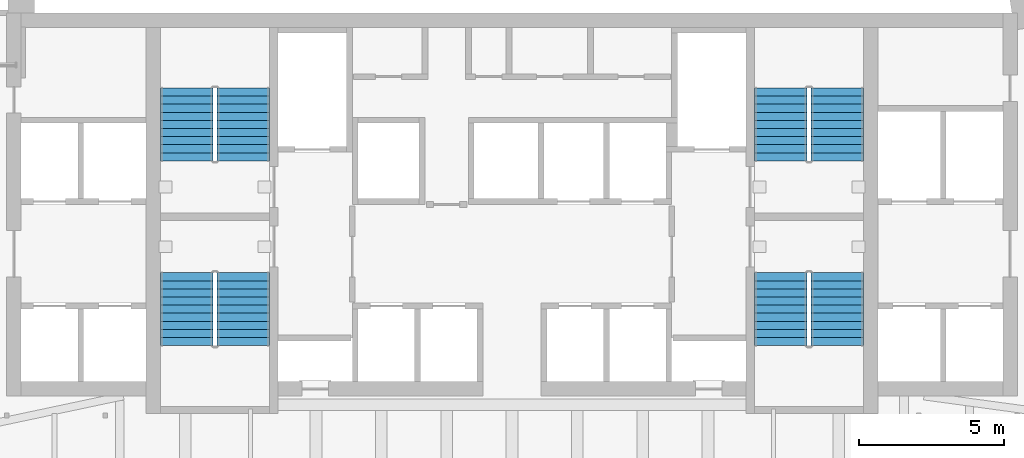
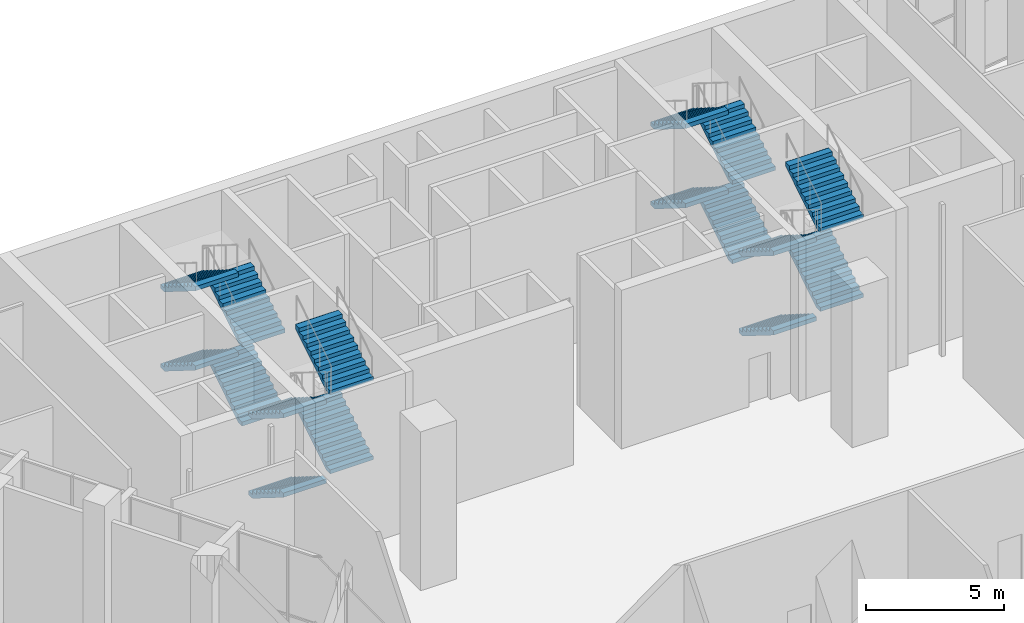
# One storey, part 15 of 17: 16 stair flights, 4 elements without a shape of their own.
"""IFC4 building model written with IfcOpenShell, lengths in metres."""

from ifc_helpers import new_model, si_unit, direction, frame, origin, place, context, subcontext, project, spatial, faceted_brep, source, transform, mapped, material, type_object, element, aggregate, save


model = new_model("IFC4")

# Units and contexts
model_context = context("Model", 3, precision=1e-05, world=origin(), true_north=direction((0.0, 1.0)))
body_context = subcontext(model_context, "Body", "Model", "MODEL_VIEW")
ifc_project = project(units=[si_unit("LENGTHUNIT", "METRE"), si_unit("AREAUNIT", "SQUARE_METRE"), si_unit("VOLUMEUNIT", "CUBIC_METRE"), si_unit("PLANEANGLEUNIT", "RADIAN"), si_unit("MASSUNIT", "GRAM", prefix="KILO")], contexts=[model_context])

# Site, building, storey
site_placement = place(None, origin())
site = spatial("IfcSite", under=ifc_project, at=site_placement, CompositionType="ELEMENT")
building_placement = place(site_placement, origin())
building = spatial("IfcBuilding", under=site, at=building_placement, Name="Calabash Gate Tower", CompositionType="ELEMENT")
storey_placement = place(building_placement, frame((0.0, 0.0, 132.60009765625)))
storey = spatial("IfcBuildingStorey", under=building, at=storey_placement, Name="L31", CompositionType="ELEMENT", Elevation=132.60009765625)

# Stair, stair flights
ifc_material_1 = material(Name="Concrete C40/50", Category="concrete")
stair_type = type_object("IfcStairType", Name="Exit stair 40 risers of 175 mm", PredefinedType="HALF_TURN_STAIR", material=ifc_material_1)
stair_1_placement = place(storey_placement, origin())
stair_1 = element("IfcStair", 1, at=stair_1_placement, inside=storey, type_object=stair_type, Name="L31 Exit stair ST1", PredefinedType="HALF_TURN_STAIR")
ifc_material_2 = material(Name="Concrete C40/50", Category="concrete")
stair_flight_type = type_object("IfcStairFlightType", Name="Exit stair flight SFL", PredefinedType="STRAIGHT", material=ifc_material_2)
shared_shape = source(origin(), body_context, "Body", "Brep", [
    faceted_brep([(-0.0009765625, -0.89990234375, 0.0), (0.2822265625, -0.89990234375, 0.0), (2.511962890625, -0.89990234375, 1.39794921875), (-0.0009765625, 0.89990234375, 0.0), (2.511962890625, 0.89990234375, 1.39794921875), (0.2822265625, 0.89990234375, 0.0), (2.511962890625, -0.89990234375, 1.5869140625), (2.510986328125, -0.89990234375, 1.5869140625), (2.510986328125, 0.89990234375, 1.5869140625), (2.511962890625, 0.89990234375, 1.5869140625), (2.510986328125, -0.89990234375, 1.574951171875), (2.510986328125, 0.89990234375, 1.574951171875), (2.23193359375, -0.89990234375, 1.574951171875), (2.23193359375, 0.89990234375, 1.574951171875), (2.23193359375, -0.89990234375, 1.39990234375), (2.23193359375, 0.89990234375, 1.39990234375), (1.952880859375, -0.89990234375, 1.39990234375), (1.952880859375, 0.89990234375, 1.39990234375), (1.952880859375, -0.89990234375, 1.22509765625), (1.952880859375, 0.89990234375, 1.22509765625), (1.674072265625, -0.89990234375, 1.22509765625), (1.674072265625, -0.89990234375, 1.050048828125), (1.674072265625, 0.89990234375, 1.050048828125), (1.674072265625, 0.89990234375, 1.22509765625), (1.39501953125, -0.89990234375, 1.050048828125), (1.39501953125, -0.89990234375, 0.875), (1.39501953125, 0.89990234375, 0.875), (1.39501953125, 0.89990234375, 1.050048828125), (1.115966796875, -0.89990234375, 0.875), (1.115966796875, -0.89990234375, 0.699951171875), (1.115966796875, 0.89990234375, 0.699951171875), (1.115966796875, 0.89990234375, 0.875), (0.8369140625, -0.89990234375, 0.699951171875), (0.8369140625, -0.89990234375, 0.52490234375), (0.8369140625, 0.89990234375, 0.52490234375), (0.8369140625, 0.89990234375, 0.699951171875), (0.55810546875, -0.89990234375, 0.52490234375), (0.55810546875, -0.89990234375, 0.35009765625), (0.55810546875, 0.89990234375, 0.35009765625), (0.55810546875, 0.89990234375, 0.52490234375), (0.279052734375, -0.89990234375, 0.35009765625), (0.279052734375, -0.89990234375, 0.175048828125), (0.279052734375, 0.89990234375, 0.175048828125), (0.279052734375, 0.89990234375, 0.35009765625), (-0.0009765625, -0.89990234375, 0.175048828125), (-0.0009765625, 0.89990234375, 0.175048828125), (0.2822265625, -0.360107421875, 0.0), (2.511962890625, -0.360107421875, 1.39794921875), (0.2822265625, -0.179931640625, 0.0), (2.511962890625, -0.179931640625, 1.39794921875), (0.2822265625, 0.0, 0.0), (2.511962890625, 0.0, 1.39794921875), (0.2822265625, 0.179931640625, 0.0), (2.511962890625, 0.179931640625, 1.39794921875), (0.2822265625, 0.360107421875, 0.0), (2.511962890625, 0.360107421875, 1.39794921875), (2.511962890625, -0.360107421875, 1.5869140625), (2.511962890625, -0.179931640625, 1.5869140625), (2.511962890625, 0.0, 1.5869140625), (2.511962890625, 0.179931640625, 1.5869140625), (2.511962890625, 0.360107421875, 1.5869140625), (2.510986328125, -0.360107421875, 1.5869140625), (2.510986328125, -0.179931640625, 1.5869140625), (2.510986328125, 0.0, 1.5869140625), (2.510986328125, 0.179931640625, 1.5869140625), (2.510986328125, 0.360107421875, 1.5869140625), (2.510986328125, -0.360107421875, 1.574951171875), (2.510986328125, -0.179931640625, 1.574951171875), (2.510986328125, 0.0, 1.574951171875), (2.510986328125, 0.179931640625, 1.574951171875), (2.510986328125, 0.360107421875, 1.574951171875), (2.23193359375, -0.360107421875, 1.574951171875), (2.23193359375, -0.179931640625, 1.574951171875), (2.23193359375, 0.0, 1.574951171875), (2.23193359375, 0.179931640625, 1.574951171875), (2.23193359375, 0.360107421875, 1.574951171875), (2.23193359375, -0.360107421875, 1.39990234375), (2.23193359375, -0.179931640625, 1.39990234375), (2.23193359375, 0.0, 1.39990234375), (2.23193359375, 0.179931640625, 1.39990234375), (2.23193359375, 0.360107421875, 1.39990234375), (1.952880859375, -0.360107421875, 1.39990234375), (1.952880859375, -0.179931640625, 1.39990234375), (1.952880859375, 0.0, 1.39990234375), (1.952880859375, 0.179931640625, 1.39990234375), (1.952880859375, 0.360107421875, 1.39990234375), (1.952880859375, -0.360107421875, 1.22509765625), (1.952880859375, -0.179931640625, 1.22509765625), (1.952880859375, 0.0, 1.22509765625), (1.952880859375, 0.179931640625, 1.22509765625), (1.952880859375, 0.360107421875, 1.22509765625), (1.674072265625, -0.360107421875, 1.22509765625), (1.674072265625, -0.179931640625, 1.22509765625), (1.674072265625, 0.0, 1.22509765625), (1.674072265625, 0.179931640625, 1.22509765625), (1.674072265625, 0.360107421875, 1.22509765625), (1.674072265625, -0.360107421875, 1.050048828125), (1.674072265625, -0.179931640625, 1.050048828125), (1.674072265625, 0.0, 1.050048828125), (1.674072265625, 0.179931640625, 1.050048828125), (1.674072265625, 0.360107421875, 1.050048828125), (1.39501953125, -0.360107421875, 1.050048828125), (1.39501953125, -0.179931640625, 1.050048828125), (1.39501953125, 0.0, 1.050048828125), (1.39501953125, 0.179931640625, 1.050048828125), (1.39501953125, 0.360107421875, 1.050048828125), (1.39501953125, -0.360107421875, 0.875), (1.39501953125, -0.179931640625, 0.875), (1.39501953125, 0.0, 0.875), (1.39501953125, 0.179931640625, 0.875), (1.39501953125, 0.360107421875, 0.875), (1.115966796875, -0.360107421875, 0.875), (1.115966796875, -0.179931640625, 0.875), (1.115966796875, 0.0, 0.875), (1.115966796875, 0.179931640625, 0.875), (1.115966796875, 0.360107421875, 0.875), (1.115966796875, -0.360107421875, 0.699951171875), (1.115966796875, -0.179931640625, 0.699951171875), (1.115966796875, 0.0, 0.699951171875), (1.115966796875, 0.179931640625, 0.699951171875), (1.115966796875, 0.360107421875, 0.699951171875), (0.8369140625, -0.360107421875, 0.699951171875), (0.8369140625, -0.179931640625, 0.699951171875), (0.8369140625, 0.0, 0.699951171875), (0.8369140625, 0.179931640625, 0.699951171875), (0.8369140625, 0.360107421875, 0.699951171875), (0.8369140625, -0.360107421875, 0.52490234375), (0.8369140625, -0.179931640625, 0.52490234375), (0.8369140625, 0.0, 0.52490234375), (0.8369140625, 0.179931640625, 0.52490234375), (0.8369140625, 0.360107421875, 0.52490234375), (0.55810546875, -0.360107421875, 0.52490234375), (0.55810546875, -0.179931640625, 0.52490234375), (0.55810546875, 0.0, 0.52490234375), (0.55810546875, 0.179931640625, 0.52490234375), (0.55810546875, 0.360107421875, 0.52490234375), (0.55810546875, -0.360107421875, 0.35009765625), (0.55810546875, -0.179931640625, 0.35009765625), (0.55810546875, 0.0, 0.35009765625), (0.55810546875, 0.179931640625, 0.35009765625), (0.55810546875, 0.360107421875, 0.35009765625), (0.279052734375, -0.360107421875, 0.35009765625), (0.279052734375, -0.179931640625, 0.35009765625), (0.279052734375, 0.0, 0.35009765625), (0.279052734375, 0.179931640625, 0.35009765625), (0.279052734375, 0.360107421875, 0.35009765625), (0.279052734375, -0.360107421875, 0.175048828125), (0.279052734375, -0.179931640625, 0.175048828125), (0.279052734375, 0.0, 0.175048828125), (0.279052734375, 0.179931640625, 0.175048828125), (0.279052734375, 0.360107421875, 0.175048828125), (-0.0009765625, -0.360107421875, 0.175048828125), (-0.0009765625, -0.179931640625, 0.175048828125), (-0.0009765625, 0.0, 0.175048828125), (-0.0009765625, 0.179931640625, 0.175048828125), (-0.0009765625, 0.360107421875, 0.175048828125), (-0.0009765625, -0.360107421875, 0.0), (-0.0009765625, -0.179931640625, 0.0), (-0.0009765625, 0.0, 0.0), (-0.0009765625, 0.179931640625, 0.0), (-0.0009765625, 0.360107421875, 0.0)], [[[0, 1, 2]], [[3, 4, 5]], [[2, 6, 7]], [[4, 8, 9]], [[2, 7, 10]], [[4, 11, 8]], [[2, 10, 12]], [[4, 13, 11]], [[2, 12, 14]], [[4, 15, 13]], [[2, 14, 16]], [[4, 17, 15]], [[2, 16, 18]], [[4, 19, 17]], [[18, 20, 21]], [[19, 22, 23]], [[2, 18, 21]], [[4, 22, 19]], [[21, 24, 25]], [[22, 26, 27]], [[2, 21, 25]], [[4, 26, 22]], [[25, 28, 29]], [[26, 30, 31]], [[2, 25, 29]], [[4, 30, 26]], [[29, 32, 33]], [[30, 34, 35]], [[2, 29, 33]], [[4, 34, 30]], [[33, 36, 37]], [[34, 38, 39]], [[2, 33, 37]], [[4, 38, 34]], [[37, 40, 41]], [[38, 42, 43]], [[2, 37, 41]], [[4, 42, 38]], [[0, 2, 41]], [[3, 42, 4]], [[41, 44, 0]], [[42, 3, 45]], [[1, 46, 2]], [[46, 47, 2]], [[46, 48, 47]], [[48, 49, 47]], [[48, 50, 49]], [[50, 51, 49]], [[50, 52, 53]], [[50, 53, 51]], [[52, 54, 55]], [[52, 55, 53]], [[54, 5, 4]], [[54, 4, 55]], [[2, 47, 6]], [[47, 56, 6]], [[47, 49, 56]], [[49, 57, 56]], [[49, 51, 57]], [[51, 58, 57]], [[51, 53, 59]], [[51, 59, 58]], [[53, 55, 60]], [[53, 60, 59]], [[55, 4, 9]], [[55, 9, 60]], [[6, 56, 7]], [[56, 61, 7]], [[56, 57, 61]], [[57, 62, 61]], [[57, 58, 62]], [[58, 63, 62]], [[58, 59, 64]], [[58, 64, 63]], [[59, 60, 65]], [[59, 65, 64]], [[60, 9, 8]], [[60, 8, 65]], [[7, 61, 10]], [[61, 66, 10]], [[61, 62, 66]], [[62, 67, 66]], [[62, 63, 67]], [[63, 68, 67]], [[63, 64, 69]], [[63, 69, 68]], [[64, 65, 70]], [[64, 70, 69]], [[65, 8, 11]], [[65, 11, 70]], [[10, 66, 12]], [[66, 71, 12]], [[66, 67, 71]], [[67, 72, 71]], [[67, 68, 72]], [[68, 73, 72]], [[68, 69, 74]], [[68, 74, 73]], [[69, 70, 75]], [[69, 75, 74]], [[70, 11, 13]], [[70, 13, 75]], [[12, 71, 14]], [[71, 76, 14]], [[71, 72, 76]], [[72, 77, 76]], [[72, 73, 77]], [[73, 78, 77]], [[73, 74, 79]], [[73, 79, 78]], [[74, 75, 80]], [[74, 80, 79]], [[75, 13, 15]], [[75, 15, 80]], [[14, 76, 16]], [[76, 81, 16]], [[76, 77, 81]], [[77, 82, 81]], [[77, 78, 82]], [[78, 83, 82]], [[78, 79, 84]], [[78, 84, 83]], [[79, 80, 85]], [[79, 85, 84]], [[80, 15, 17]], [[80, 17, 85]], [[16, 81, 18]], [[81, 86, 18]], [[81, 82, 86]], [[82, 87, 86]], [[82, 83, 87]], [[83, 88, 87]], [[83, 84, 89]], [[83, 89, 88]], [[84, 85, 90]], [[84, 90, 89]], [[85, 17, 19]], [[85, 19, 90]], [[18, 86, 20]], [[86, 91, 20]], [[86, 87, 91]], [[87, 92, 91]], [[87, 88, 92]], [[88, 93, 92]], [[88, 89, 94]], [[88, 94, 93]], [[89, 90, 95]], [[89, 95, 94]], [[90, 19, 23]], [[90, 23, 95]], [[20, 91, 21]], [[91, 96, 21]], [[91, 92, 96]], [[92, 97, 96]], [[92, 93, 97]], [[93, 98, 97]], [[93, 94, 99]], [[93, 99, 98]], [[94, 95, 100]], [[94, 100, 99]], [[95, 23, 22]], [[95, 22, 100]], [[21, 96, 24]], [[96, 101, 24]], [[96, 97, 101]], [[97, 102, 101]], [[97, 98, 102]], [[98, 103, 102]], [[98, 99, 104]], [[98, 104, 103]], [[99, 100, 105]], [[99, 105, 104]], [[100, 22, 27]], [[100, 27, 105]], [[24, 101, 25]], [[101, 106, 25]], [[101, 102, 106]], [[102, 107, 106]], [[102, 103, 107]], [[103, 108, 107]], [[103, 104, 109]], [[103, 109, 108]], [[104, 105, 110]], [[104, 110, 109]], [[105, 27, 26]], [[105, 26, 110]], [[25, 106, 28]], [[106, 111, 28]], [[106, 107, 111]], [[107, 112, 111]], [[107, 108, 112]], [[108, 113, 112]], [[108, 109, 114]], [[108, 114, 113]], [[109, 110, 115]], [[109, 115, 114]], [[110, 26, 31]], [[110, 31, 115]], [[28, 111, 29]], [[111, 116, 29]], [[111, 112, 116]], [[112, 117, 116]], [[112, 113, 117]], [[113, 118, 117]], [[113, 114, 119]], [[113, 119, 118]], [[114, 115, 120]], [[114, 120, 119]], [[115, 31, 30]], [[115, 30, 120]], [[29, 116, 32]], [[116, 121, 32]], [[116, 117, 121]], [[117, 122, 121]], [[117, 118, 122]], [[118, 123, 122]], [[118, 119, 124]], [[118, 124, 123]], [[119, 120, 125]], [[119, 125, 124]], [[120, 30, 35]], [[120, 35, 125]], [[32, 121, 33]], [[121, 126, 33]], [[121, 122, 126]], [[122, 127, 126]], [[122, 123, 127]], [[123, 128, 127]], [[123, 124, 129]], [[123, 129, 128]], [[124, 125, 130]], [[124, 130, 129]], [[125, 35, 34]], [[125, 34, 130]], [[33, 126, 36]], [[126, 131, 36]], [[126, 127, 131]], [[127, 132, 131]], [[127, 128, 132]], [[128, 133, 132]], [[128, 129, 134]], [[128, 134, 133]], [[129, 130, 135]], [[129, 135, 134]], [[130, 34, 39]], [[130, 39, 135]], [[36, 131, 37]], [[131, 136, 37]], [[131, 132, 136]], [[132, 137, 136]], [[132, 133, 137]], [[133, 138, 137]], [[133, 134, 139]], [[133, 139, 138]], [[134, 135, 140]], [[134, 140, 139]], [[135, 39, 38]], [[135, 38, 140]], [[37, 136, 40]], [[136, 141, 40]], [[136, 137, 141]], [[137, 142, 141]], [[137, 138, 142]], [[138, 143, 142]], [[138, 139, 144]], [[138, 144, 143]], [[139, 140, 145]], [[139, 145, 144]], [[140, 38, 43]], [[140, 43, 145]], [[40, 141, 41]], [[141, 146, 41]], [[141, 142, 146]], [[142, 147, 146]], [[142, 143, 147]], [[143, 148, 147]], [[143, 144, 149]], [[143, 149, 148]], [[144, 145, 150]], [[144, 150, 149]], [[145, 43, 42]], [[145, 42, 150]], [[41, 146, 44]], [[146, 151, 44]], [[146, 147, 151]], [[147, 152, 151]], [[147, 148, 152]], [[148, 153, 152]], [[148, 149, 154]], [[148, 154, 153]], [[149, 150, 155]], [[149, 155, 154]], [[150, 42, 45]], [[150, 45, 155]], [[44, 151, 0]], [[151, 156, 0]], [[151, 152, 156]], [[152, 157, 156]], [[152, 153, 157]], [[153, 158, 157]], [[153, 154, 159]], [[153, 159, 158]], [[154, 155, 160]], [[154, 160, 159]], [[155, 45, 3]], [[155, 3, 160]], [[0, 156, 1]], [[156, 46, 1]], [[156, 157, 46]], [[157, 48, 46]], [[157, 158, 48]], [[158, 50, 48]], [[158, 159, 52]], [[158, 52, 50]], [[159, 160, 54]], [[159, 54, 52]], [[160, 3, 5]], [[160, 5, 54]]]),
])
stair_flight_1_placement = place(storey_placement, frame((-9.25, 13.95263671875, 0.0), z_axis=(0.0, 0.0, 1.0), x_axis=(0.0, 1.0, 0.0)))
stair_flight_1 = element("IfcStairFlight", 2, at=stair_flight_1_placement, type_object=stair_flight_type, Name="ST1 flight 1", NumberOfRisers=10, NumberOfTreads=9, PredefinedType="STRAIGHT", RiserHeight=0.175, TreadLength=0.279, context=body_context, shape_type="MappedRepresentation", body=[
    mapped(shared_shape, transform((0.0, 0.0, 0.0), scale=1.0)),
])
stair_flight_2_placement = place(storey_placement, frame((-11.199951171875, 16.463623046875, 1.75), z_axis=(0.0, 0.0, 1.0), x_axis=(0.0, -1.0, 0.0)))
stair_flight_2 = element("IfcStairFlight", 3, at=stair_flight_2_placement, type_object=stair_flight_type, Name="ST1 flight 2", NumberOfRisers=10, NumberOfTreads=9, PredefinedType="STRAIGHT", RiserHeight=0.175, TreadLength=0.279, context=body_context, shape_type="MappedRepresentation", body=[
    mapped(shared_shape, transform((0.0, 0.0, 0.0), scale=1.0)),
])
stair_flight_3_placement = place(storey_placement, frame((-9.25, 13.95263671875, 3.5), z_axis=(0.0, 0.0, 1.0), x_axis=(0.0, 1.0, 0.0)))
stair_flight_3 = element("IfcStairFlight", 4, at=stair_flight_3_placement, type_object=stair_flight_type, Name="ST1 flight 3", NumberOfRisers=10, NumberOfTreads=9, PredefinedType="STRAIGHT", RiserHeight=0.175, TreadLength=0.279, context=body_context, shape_type="MappedRepresentation", body=[
    mapped(shared_shape, transform((0.0, 0.0, 0.0), scale=1.0)),
])
stair_flight_4_placement = place(storey_placement, frame((-11.199951171875, 16.463623046875, 5.25), z_axis=(0.0, 0.0, 1.0), x_axis=(0.0, -1.0, 0.0)))
stair_flight_4 = element("IfcStairFlight", 5, at=stair_flight_4_placement, type_object=stair_flight_type, Name="ST1 flight 4", NumberOfRisers=10, NumberOfTreads=9, PredefinedType="STRAIGHT", RiserHeight=0.175, TreadLength=0.279, context=body_context, shape_type="MappedRepresentation", body=[
    mapped(shared_shape, transform((0.0, 0.0, 0.0), scale=1.0)),
])
aggregate(stair_1, [stair_flight_1, stair_flight_2, stair_flight_3, stair_flight_4])

stair_2_placement = place(storey_placement, origin())
stair_2 = element("IfcStair", 6, at=stair_2_placement, inside=storey, type_object=stair_type, Name="L31 Exit stair ST2", PredefinedType="HALF_TURN_STAIR")
stair_flight_5_placement = place(storey_placement, frame((-11.199951171875, 10.1025390625, 0.0), z_axis=(0.0, 0.0, 1.0), x_axis=(0.0, -1.0, 0.0)))
stair_flight_5 = element("IfcStairFlight", 7, at=stair_flight_5_placement, type_object=stair_flight_type, Name="ST2 flight 1", NumberOfRisers=10, NumberOfTreads=9, PredefinedType="STRAIGHT", RiserHeight=0.175, TreadLength=0.279, context=body_context, shape_type="MappedRepresentation", body=[
    mapped(shared_shape, transform((0.0, 0.0, 0.0), scale=1.0)),
])
stair_flight_6_placement = place(storey_placement, frame((-9.25, 7.591552734375, 1.75), z_axis=(0.0, 0.0, 1.0), x_axis=(0.0, 1.0, 0.0)))
stair_flight_6 = element("IfcStairFlight", 8, at=stair_flight_6_placement, type_object=stair_flight_type, Name="ST2 flight 2", NumberOfRisers=10, NumberOfTreads=9, PredefinedType="STRAIGHT", RiserHeight=0.175, TreadLength=0.279, context=body_context, shape_type="MappedRepresentation", body=[
    mapped(shared_shape, transform((0.0, 0.0, 0.0), scale=1.0)),
])
stair_flight_7_placement = place(storey_placement, frame((-11.199951171875, 10.1025390625, 3.5), z_axis=(0.0, 0.0, 1.0), x_axis=(0.0, -1.0, 0.0)))
stair_flight_7 = element("IfcStairFlight", 9, at=stair_flight_7_placement, type_object=stair_flight_type, Name="ST2 flight 3", NumberOfRisers=10, NumberOfTreads=9, PredefinedType="STRAIGHT", RiserHeight=0.175, TreadLength=0.279, context=body_context, shape_type="MappedRepresentation", body=[
    mapped(shared_shape, transform((0.0, 0.0, 0.0), scale=1.0)),
])
stair_flight_8_placement = place(storey_placement, frame((-9.25, 7.591552734375, 5.25), z_axis=(0.0, 0.0, 1.0), x_axis=(0.0, 1.0, 0.0)))
stair_flight_8 = element("IfcStairFlight", 10, at=stair_flight_8_placement, type_object=stair_flight_type, Name="ST2 flight 4", NumberOfRisers=10, NumberOfTreads=9, PredefinedType="STRAIGHT", RiserHeight=0.175, TreadLength=0.279, context=body_context, shape_type="MappedRepresentation", body=[
    mapped(shared_shape, transform((0.0, 0.0, 0.0), scale=1.0)),
])
aggregate(stair_2, [stair_flight_5, stair_flight_6, stair_flight_7, stair_flight_8])

stair_3_placement = place(storey_placement, origin())
stair_3 = element("IfcStair", 11, at=stair_3_placement, inside=storey, type_object=stair_type, Name="L31 Exit stair ST3", PredefinedType="HALF_TURN_STAIR")
stair_flight_9_placement = place(storey_placement, frame((11.199951171875, 13.95263671875, 0.0), z_axis=(0.0, 0.0, 1.0), x_axis=(0.0, 1.0, 0.0)))
stair_flight_9 = element("IfcStairFlight", 12, at=stair_flight_9_placement, type_object=stair_flight_type, Name="ST3 flight 1", NumberOfRisers=10, NumberOfTreads=9, PredefinedType="STRAIGHT", RiserHeight=0.175, TreadLength=0.279, context=body_context, shape_type="MappedRepresentation", body=[
    mapped(shared_shape, transform((0.0, 0.0, 0.0), scale=1.0)),
])
stair_flight_10_placement = place(storey_placement, frame((9.25, 16.463623046875, 1.75), z_axis=(0.0, 0.0, 1.0), x_axis=(0.0, -1.0, 0.0)))
stair_flight_10 = element("IfcStairFlight", 13, at=stair_flight_10_placement, type_object=stair_flight_type, Name="ST3 flight 2", NumberOfRisers=10, NumberOfTreads=9, PredefinedType="STRAIGHT", RiserHeight=0.175, TreadLength=0.279, context=body_context, shape_type="MappedRepresentation", body=[
    mapped(shared_shape, transform((0.0, 0.0, 0.0), scale=1.0)),
])
stair_flight_11_placement = place(storey_placement, frame((11.199951171875, 13.95263671875, 3.5), z_axis=(0.0, 0.0, 1.0), x_axis=(0.0, 1.0, 0.0)))
stair_flight_11 = element("IfcStairFlight", 14, at=stair_flight_11_placement, type_object=stair_flight_type, Name="ST3 flight 3", NumberOfRisers=10, NumberOfTreads=9, PredefinedType="STRAIGHT", RiserHeight=0.175, TreadLength=0.279, context=body_context, shape_type="MappedRepresentation", body=[
    mapped(shared_shape, transform((0.0, 0.0, 0.0), scale=1.0)),
])
stair_flight_12_placement = place(storey_placement, frame((9.25, 16.463623046875, 5.25), z_axis=(0.0, 0.0, 1.0), x_axis=(0.0, -1.0, 0.0)))
stair_flight_12 = element("IfcStairFlight", 15, at=stair_flight_12_placement, type_object=stair_flight_type, Name="ST3 flight 4", NumberOfRisers=10, NumberOfTreads=9, PredefinedType="STRAIGHT", RiserHeight=0.175, TreadLength=0.279, context=body_context, shape_type="MappedRepresentation", body=[
    mapped(shared_shape, transform((0.0, 0.0, 0.0), scale=1.0)),
])
aggregate(stair_3, [stair_flight_9, stair_flight_10, stair_flight_11, stair_flight_12])

stair_4_placement = place(storey_placement, origin())
stair_4 = element("IfcStair", 16, at=stair_4_placement, inside=storey, type_object=stair_type, Name="L31 Exit stair ST4", PredefinedType="HALF_TURN_STAIR")
stair_flight_13_placement = place(storey_placement, frame((9.25, 10.1025390625, 0.0), z_axis=(0.0, 0.0, 1.0), x_axis=(0.0, -1.0, 0.0)))
stair_flight_13 = element("IfcStairFlight", 17, at=stair_flight_13_placement, type_object=stair_flight_type, Name="ST4 flight 1", NumberOfRisers=10, NumberOfTreads=9, PredefinedType="STRAIGHT", RiserHeight=0.175, TreadLength=0.279, context=body_context, shape_type="MappedRepresentation", body=[
    mapped(shared_shape, transform((0.0, 0.0, 0.0), scale=1.0)),
])
stair_flight_14_placement = place(storey_placement, frame((11.199951171875, 7.591552734375, 1.75), z_axis=(0.0, 0.0, 1.0), x_axis=(0.0, 1.0, 0.0)))
stair_flight_14 = element("IfcStairFlight", 18, at=stair_flight_14_placement, type_object=stair_flight_type, Name="ST4 flight 2", NumberOfRisers=10, NumberOfTreads=9, PredefinedType="STRAIGHT", RiserHeight=0.175, TreadLength=0.279, context=body_context, shape_type="MappedRepresentation", body=[
    mapped(shared_shape, transform((0.0, 0.0, 0.0), scale=1.0)),
])
stair_flight_15_placement = place(storey_placement, frame((9.25, 10.1025390625, 3.5), z_axis=(0.0, 0.0, 1.0), x_axis=(0.0, -1.0, 0.0)))
stair_flight_15 = element("IfcStairFlight", 19, at=stair_flight_15_placement, type_object=stair_flight_type, Name="ST4 flight 3", NumberOfRisers=10, NumberOfTreads=9, PredefinedType="STRAIGHT", RiserHeight=0.175, TreadLength=0.279, context=body_context, shape_type="MappedRepresentation", body=[
    mapped(shared_shape, transform((0.0, 0.0, 0.0), scale=1.0)),
])
stair_flight_16_placement = place(storey_placement, frame((11.199951171875, 7.591552734375, 5.25), z_axis=(0.0, 0.0, 1.0), x_axis=(0.0, 1.0, 0.0)))
stair_flight_16 = element("IfcStairFlight", 20, at=stair_flight_16_placement, type_object=stair_flight_type, Name="ST4 flight 4", NumberOfRisers=10, NumberOfTreads=9, PredefinedType="STRAIGHT", RiserHeight=0.175, TreadLength=0.279, context=body_context, shape_type="MappedRepresentation", body=[
    mapped(shared_shape, transform((0.0, 0.0, 0.0), scale=1.0)),
])
aggregate(stair_4, [stair_flight_13, stair_flight_14, stair_flight_15, stair_flight_16])

save(model, "model.ifc")
